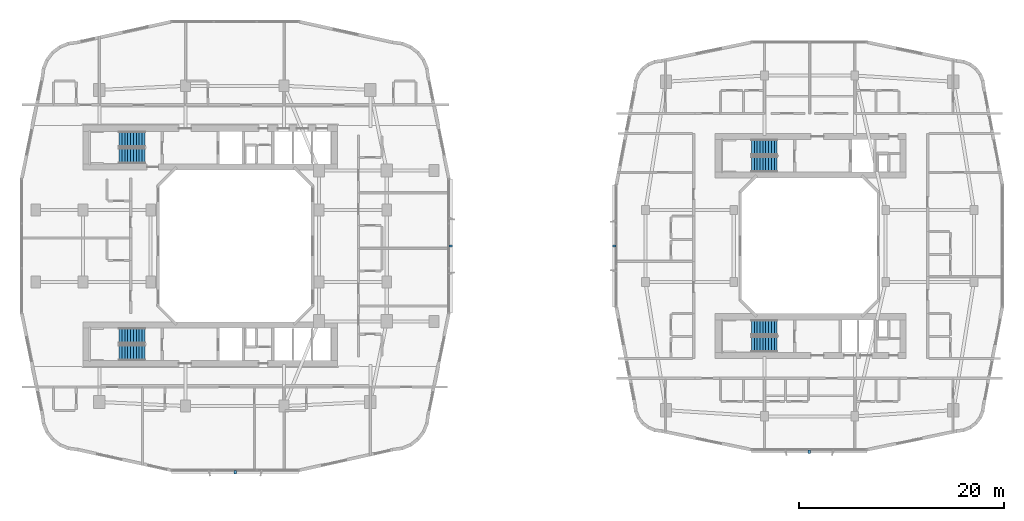
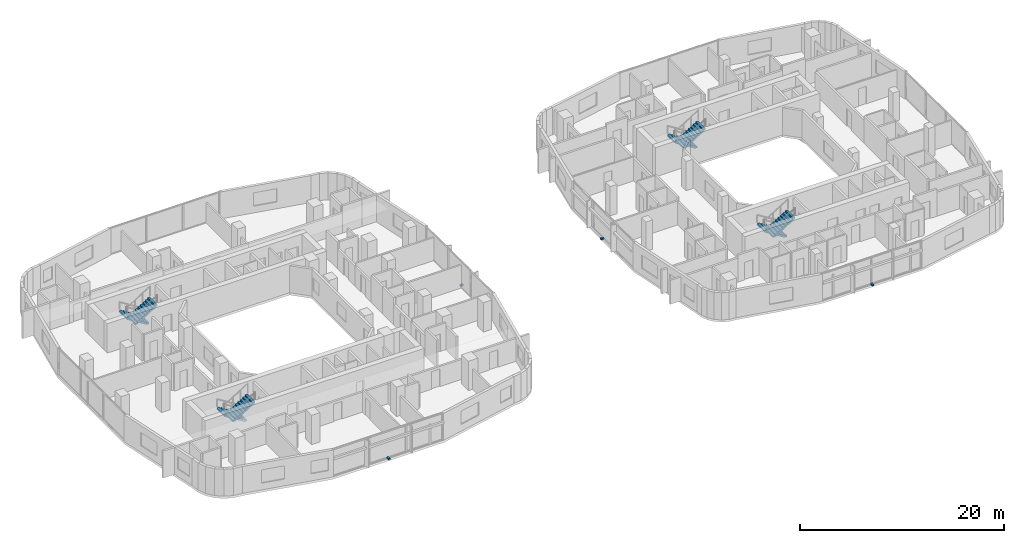
# One storey, part 22 of 27: 8 stair flights, 4 discrete accessories, 4 elements without a shape of their own.
"""IFC4 building model written with IfcOpenShell, lengths in metres."""

from ifc_helpers import new_model, si_unit, derived_unit, direction, frame, origin, origin_2d, place, context, subcontext, project, spatial, polyline, rectangle, outline, extrude, material, type_object, element, aggregate, save


model = new_model("IFC4")

# Units and contexts
model_context = context("Model", 3, precision=1e-05, world=origin(), true_north=direction((0.0, 1.0)))
body_context = subcontext(model_context, "Body", "Model", "MODEL_VIEW")
ifc_project = project(units=[si_unit("LENGTHUNIT", "METRE"), si_unit("AREAUNIT", "SQUARE_METRE"), si_unit("VOLUMEUNIT", "CUBIC_METRE"), si_unit("PLANEANGLEUNIT", "RADIAN"), si_unit("MASSUNIT", "GRAM", prefix="KILO"), derived_unit("THERMALTRANSMITTANCEUNIT", [(si_unit("POWERUNIT", "WATT"), 1), (si_unit("LENGTHUNIT", "METRE"), -2), (si_unit("THERMODYNAMICTEMPERATUREUNIT", "KELVIN"), -1)])], contexts=[model_context])

# Site, building, storey
site_placement = place(None, origin())
site = spatial("IfcSite", under=ifc_project, at=site_placement, CompositionType="ELEMENT")
building_placement = place(site_placement, origin())
building = spatial("IfcBuilding", under=site, at=building_placement, Name="Kivonza Crest Hotel", CompositionType="ELEMENT")
storey_placement = place(building_placement, frame((0.0, 0.0, 41.5)))
storey = spatial("IfcBuildingStorey", under=building, at=storey_placement, Name="L10", CompositionType="ELEMENT", Elevation=41.5)

# Stair, stair flights
ifc_material_1 = material(Name="Concrete C40/50", Category="concrete")
stair_type = type_object("IfcStairType", Name="ST-DL-20R", PredefinedType="HALF_TURN_STAIR", material=ifc_material_1)
stair_1_placement = place(storey_placement, origin())
stair_1 = element("IfcStair", 1, at=stair_1_placement, inside=storey, type_object=stair_type, Name="L10 Protected Exit Stair ST-T1-N", PredefinedType="HALF_TURN_STAIR")
stair_flight_type = type_object("IfcStairFlightType", Name="SFL-RC-10R", PredefinedType="STRAIGHT", material=ifc_material_1)
stair_flight_1_placement = place(storey_placement, frame((12.239990234375, 35.409912109375, 0.0), z_axis=(0.0, 0.0, 1.0), x_axis=(-1.0, 0.0, 0.0)))
stair_flight_1 = element("IfcStairFlight", 2, at=stair_flight_1_placement, type_object=stair_flight_type, Name="ST-T1-N flight 1", NumberOfRisers=10, NumberOfTreads=9, PredefinedType="STRAIGHT", RiserHeight=0.175, TreadLength=0.28, context=body_context, shape_type="SweptSolid", body=[
    extrude(outline(polyline([(0.0, 0.0), (0.0, 0.175048828125), (0.280029296875, 0.175048828125), (0.280029296875, 0.35009765625), (0.56005859375, 0.35009765625), (0.56005859375, 0.52490234375), (0.840087890625, 0.52490234375), (0.840087890625, 0.699951171875), (1.1201171875, 0.699951171875), (1.1201171875, 0.875), (1.39990234375, 0.875), (1.39990234375, 1.050048828125), (1.679931640625, 1.050048828125), (1.679931640625, 1.22509765625), (1.9599609375, 1.22509765625), (1.9599609375, 1.39990234375), (2.239990234375, 1.39990234375), (2.239990234375, 1.574951171875), (2.52001953125, 1.574951171875), (2.52001953125, 1.75), (2.52001953125, 1.398193359375), (0.28271484375, 0.0), (0.0, 0.0)])), frame((0.0, 0.75, 0.0), z_axis=(0.0, -1.0, 0.0), x_axis=(1.0, 0.0, 0.0)), (0.0, 0.0, 1.0), 1.5),
])
stair_flight_2_placement = place(storey_placement, frame((9.719970703125, 33.77001953125, 1.75), z_axis=(0.0, 0.0, 1.0), x_axis=(1.0, 0.0, 0.0)))
stair_flight_2 = element("IfcStairFlight", 3, at=stair_flight_2_placement, type_object=stair_flight_type, Name="ST-T1-N flight 2", NumberOfRisers=10, NumberOfTreads=9, PredefinedType="STRAIGHT", RiserHeight=0.175, TreadLength=0.28, context=body_context, shape_type="SweptSolid", body=[
    extrude(outline(polyline([(0.0, 0.0), (0.0, 0.175048828125), (0.280029296875, 0.175048828125), (0.280029296875, 0.35009765625), (0.56005859375, 0.35009765625), (0.56005859375, 0.52490234375), (0.840087890625, 0.52490234375), (0.840087890625, 0.699951171875), (1.1201171875, 0.699951171875), (1.1201171875, 0.875), (1.39990234375, 0.875), (1.39990234375, 1.050048828125), (1.679931640625, 1.050048828125), (1.679931640625, 1.22509765625), (1.9599609375, 1.22509765625), (1.9599609375, 1.39990234375), (2.239990234375, 1.39990234375), (2.239990234375, 1.574951171875), (2.52001953125, 1.574951171875), (2.52001953125, 1.75), (2.52001953125, 1.398193359375), (0.28271484375, 0.0), (0.0, 0.0)])), frame((0.0, 0.75, 0.0), z_axis=(0.0, -1.0, 0.0), x_axis=(1.0, 0.0, 0.0)), (0.0, 0.0, 1.0), 1.5),
])
aggregate(stair_1, [stair_flight_1, stair_flight_2])

stair_2_placement = place(storey_placement, origin())
stair_2 = element("IfcStair", 4, at=stair_2_placement, inside=storey, type_object=stair_type, Name="L10 Protected Exit Stair ST-T1-S", PredefinedType="HALF_TURN_STAIR")
stair_flight_3_placement = place(storey_placement, frame((12.239990234375, 16.25, 0.0), z_axis=(0.0, 0.0, 1.0), x_axis=(-1.0, 0.0, 0.0)))
stair_flight_3 = element("IfcStairFlight", 5, at=stair_flight_3_placement, type_object=stair_flight_type, Name="ST-T1-S flight 1", NumberOfRisers=10, NumberOfTreads=9, PredefinedType="STRAIGHT", RiserHeight=0.175, TreadLength=0.28, context=body_context, shape_type="SweptSolid", body=[
    extrude(outline(polyline([(0.0, 0.0), (0.0, 0.175048828125), (0.280029296875, 0.175048828125), (0.280029296875, 0.35009765625), (0.56005859375, 0.35009765625), (0.56005859375, 0.52490234375), (0.840087890625, 0.52490234375), (0.840087890625, 0.699951171875), (1.1201171875, 0.699951171875), (1.1201171875, 0.875), (1.39990234375, 0.875), (1.39990234375, 1.050048828125), (1.679931640625, 1.050048828125), (1.679931640625, 1.22509765625), (1.9599609375, 1.22509765625), (1.9599609375, 1.39990234375), (2.239990234375, 1.39990234375), (2.239990234375, 1.574951171875), (2.52001953125, 1.574951171875), (2.52001953125, 1.75), (2.52001953125, 1.398193359375), (0.28271484375, 0.0), (0.0, 0.0)])), frame((0.0, 0.75, 0.0), z_axis=(0.0, -1.0, 0.0), x_axis=(1.0, 0.0, 0.0)), (0.0, 0.0, 1.0), 1.5),
])
stair_flight_4_placement = place(storey_placement, frame((9.719970703125, 14.610107421875, 1.75), z_axis=(0.0, 0.0, 1.0), x_axis=(1.0, 0.0, 0.0)))
stair_flight_4 = element("IfcStairFlight", 6, at=stair_flight_4_placement, type_object=stair_flight_type, Name="ST-T1-S flight 2", NumberOfRisers=10, NumberOfTreads=9, PredefinedType="STRAIGHT", RiserHeight=0.175, TreadLength=0.28, context=body_context, shape_type="SweptSolid", body=[
    extrude(outline(polyline([(0.0, 0.0), (0.0, 0.175048828125), (0.280029296875, 0.175048828125), (0.280029296875, 0.35009765625), (0.56005859375, 0.35009765625), (0.56005859375, 0.52490234375), (0.840087890625, 0.52490234375), (0.840087890625, 0.699951171875), (1.1201171875, 0.699951171875), (1.1201171875, 0.875), (1.39990234375, 0.875), (1.39990234375, 1.050048828125), (1.679931640625, 1.050048828125), (1.679931640625, 1.22509765625), (1.9599609375, 1.22509765625), (1.9599609375, 1.39990234375), (2.239990234375, 1.39990234375), (2.239990234375, 1.574951171875), (2.52001953125, 1.574951171875), (2.52001953125, 1.75), (2.52001953125, 1.398193359375), (0.28271484375, 0.0), (0.0, 0.0)])), frame((0.0, 0.75, 0.0), z_axis=(0.0, -1.0, 0.0), x_axis=(1.0, 0.0, 0.0)), (0.0, 0.0, 1.0), 1.5),
])
aggregate(stair_2, [stair_flight_3, stair_flight_4])

stair_3_placement = place(storey_placement, origin())
stair_3 = element("IfcStair", 7, at=stair_3_placement, inside=storey, type_object=stair_type, Name="L10 Protected Exit Stair ST-T2-N", PredefinedType="HALF_TURN_STAIR")
stair_flight_5_placement = place(storey_placement, frame((73.840087890625, 34.610107421875, 0.0), z_axis=(0.0, 0.0, 1.0), x_axis=(-1.0, 0.0, 0.0)))
stair_flight_5 = element("IfcStairFlight", 8, at=stair_flight_5_placement, type_object=stair_flight_type, Name="ST-T2-N flight 1", NumberOfRisers=10, NumberOfTreads=9, PredefinedType="STRAIGHT", RiserHeight=0.175, TreadLength=0.28, context=body_context, shape_type="SweptSolid", body=[
    extrude(outline(polyline([(0.0, 0.0), (0.0, 0.175048828125), (0.280029296875, 0.175048828125), (0.280029296875, 0.35009765625), (0.56005859375, 0.35009765625), (0.56005859375, 0.52490234375), (0.840087890625, 0.52490234375), (0.840087890625, 0.699951171875), (1.1201171875, 0.699951171875), (1.1201171875, 0.875), (1.39990234375, 0.875), (1.39990234375, 1.050048828125), (1.679931640625, 1.050048828125), (1.679931640625, 1.22509765625), (1.9599609375, 1.22509765625), (1.9599609375, 1.39990234375), (2.239990234375, 1.39990234375), (2.239990234375, 1.574951171875), (2.52001953125, 1.574951171875), (2.52001953125, 1.75), (2.52001953125, 1.398193359375), (0.28271484375, 0.0), (0.0, 0.0)])), frame((0.0, 0.75, 0.0), z_axis=(0.0, -1.0, 0.0), x_axis=(1.0, 0.0, 0.0)), (0.0, 0.0, 1.0), 1.5),
])
stair_flight_6_placement = place(storey_placement, frame((71.320068359375, 32.969970703125, 1.75), z_axis=(0.0, 0.0, 1.0), x_axis=(1.0, 0.0, 0.0)))
stair_flight_6 = element("IfcStairFlight", 9, at=stair_flight_6_placement, type_object=stair_flight_type, Name="ST-T2-N flight 2", NumberOfRisers=10, NumberOfTreads=9, PredefinedType="STRAIGHT", RiserHeight=0.175, TreadLength=0.28, context=body_context, shape_type="SweptSolid", body=[
    extrude(outline(polyline([(0.0, 0.0), (0.0, 0.175048828125), (0.280029296875, 0.175048828125), (0.280029296875, 0.35009765625), (0.56005859375, 0.35009765625), (0.56005859375, 0.52490234375), (0.840087890625, 0.52490234375), (0.840087890625, 0.699951171875), (1.1201171875, 0.699951171875), (1.1201171875, 0.875), (1.39990234375, 0.875), (1.39990234375, 1.050048828125), (1.679931640625, 1.050048828125), (1.679931640625, 1.22509765625), (1.9599609375, 1.22509765625), (1.9599609375, 1.39990234375), (2.239990234375, 1.39990234375), (2.239990234375, 1.574951171875), (2.52001953125, 1.574951171875), (2.52001953125, 1.75), (2.52001953125, 1.398193359375), (0.28271484375, 0.0), (0.0, 0.0)])), frame((0.0, 0.75, 0.0), z_axis=(0.0, -1.0, 0.0), x_axis=(1.0, 0.0, 0.0)), (0.0, 0.0, 1.0), 1.5),
])
aggregate(stair_3, [stair_flight_5, stair_flight_6])

stair_4_placement = place(storey_placement, origin())
stair_4 = element("IfcStair", 10, at=stair_4_placement, inside=storey, type_object=stair_type, Name="L10 Protected Exit Stair ST-T2-S", PredefinedType="HALF_TURN_STAIR")
stair_flight_7_placement = place(storey_placement, frame((73.840087890625, 17.050048828125, 0.0), z_axis=(0.0, 0.0, 1.0), x_axis=(-1.0, 0.0, 0.0)))
stair_flight_7 = element("IfcStairFlight", 11, at=stair_flight_7_placement, type_object=stair_flight_type, Name="ST-T2-S flight 1", NumberOfRisers=10, NumberOfTreads=9, PredefinedType="STRAIGHT", RiserHeight=0.175, TreadLength=0.28, context=body_context, shape_type="SweptSolid", body=[
    extrude(outline(polyline([(0.0, 0.0), (0.0, 0.175048828125), (0.280029296875, 0.175048828125), (0.280029296875, 0.35009765625), (0.56005859375, 0.35009765625), (0.56005859375, 0.52490234375), (0.840087890625, 0.52490234375), (0.840087890625, 0.699951171875), (1.1201171875, 0.699951171875), (1.1201171875, 0.875), (1.39990234375, 0.875), (1.39990234375, 1.050048828125), (1.679931640625, 1.050048828125), (1.679931640625, 1.22509765625), (1.9599609375, 1.22509765625), (1.9599609375, 1.39990234375), (2.239990234375, 1.39990234375), (2.239990234375, 1.574951171875), (2.52001953125, 1.574951171875), (2.52001953125, 1.75), (2.52001953125, 1.398193359375), (0.28271484375, 0.0), (0.0, 0.0)])), frame((0.0, 0.75, 0.0), z_axis=(0.0, -1.0, 0.0), x_axis=(1.0, 0.0, 0.0)), (0.0, 0.0, 1.0), 1.5),
])
stair_flight_8_placement = place(storey_placement, frame((71.320068359375, 15.409912109375, 1.75), z_axis=(0.0, 0.0, 1.0), x_axis=(1.0, 0.0, 0.0)))
stair_flight_8 = element("IfcStairFlight", 12, at=stair_flight_8_placement, type_object=stair_flight_type, Name="ST-T2-S flight 2", NumberOfRisers=10, NumberOfTreads=9, PredefinedType="STRAIGHT", RiserHeight=0.175, TreadLength=0.28, context=body_context, shape_type="SweptSolid", body=[
    extrude(outline(polyline([(0.0, 0.0), (0.0, 0.175048828125), (0.280029296875, 0.175048828125), (0.280029296875, 0.35009765625), (0.56005859375, 0.35009765625), (0.56005859375, 0.52490234375), (0.840087890625, 0.52490234375), (0.840087890625, 0.699951171875), (1.1201171875, 0.699951171875), (1.1201171875, 0.875), (1.39990234375, 0.875), (1.39990234375, 1.050048828125), (1.679931640625, 1.050048828125), (1.679931640625, 1.22509765625), (1.9599609375, 1.22509765625), (1.9599609375, 1.39990234375), (2.239990234375, 1.39990234375), (2.239990234375, 1.574951171875), (2.52001953125, 1.574951171875), (2.52001953125, 1.75), (2.52001953125, 1.398193359375), (0.28271484375, 0.0), (0.0, 0.0)])), frame((0.0, 0.75, 0.0), z_axis=(0.0, -1.0, 0.0), x_axis=(1.0, 0.0, 0.0)), (0.0, 0.0, 1.0), 1.5),
])
aggregate(stair_4, [stair_flight_7, stair_flight_8])

# Discrete accessories
ifc_material_2 = material(Name="Stainless steel 316", Category="steel")
discrete_accessory_type = type_object("IfcDiscreteAccessoryType", Name="AC-BRACKET-240", PredefinedType="BRACKET", material=ifc_material_2)
for number, where, z_axis, x_axis, name in (
    (13, (21.0400390625, 2.9599609375, -0.009765625), (0.0, 0.0, 1.0), (1.0, 0.0, 0.0), "L10 terracotta baguette support bracket CW-T1-L10-08"),
    (14, (42.0400390625, 25.0, -0.009765625), (0.0, 0.0, 1.0), (0.0, 1.0, 0.0), "L10 terracotta baguette support bracket CW-T1-L10-17"),
    (15, (76.9599609375, 4.9599609375, -0.009765625), (0.0, 0.0, 1.0), (1.0, 0.0, 0.0), "L10 terracotta baguette support bracket CW-T2-L10-08"),
    (16, (57.9599609375, 25.0, -0.009765625), (0.0, 0.0, 1.0), (0.0, -1.0, 0.0), "L10 terracotta baguette support bracket CW-T2-L10-35"),
):
    element("IfcDiscreteAccessory", number, at=place(storey_placement, frame(where, z_axis=z_axis, x_axis=x_axis)), inside=storey, type_object=discrete_accessory_type, Name=name, PredefinedType="BRACKET", context=body_context, shape_type="SweptSolid", body=[
        extrude(rectangle(XDim=0.219970703125, YDim=0.340087890625, at=origin_2d()), origin(), (0.0, 0.0, 1.0), 0.179931640625),
    ])

save(model, "model.ifc")
